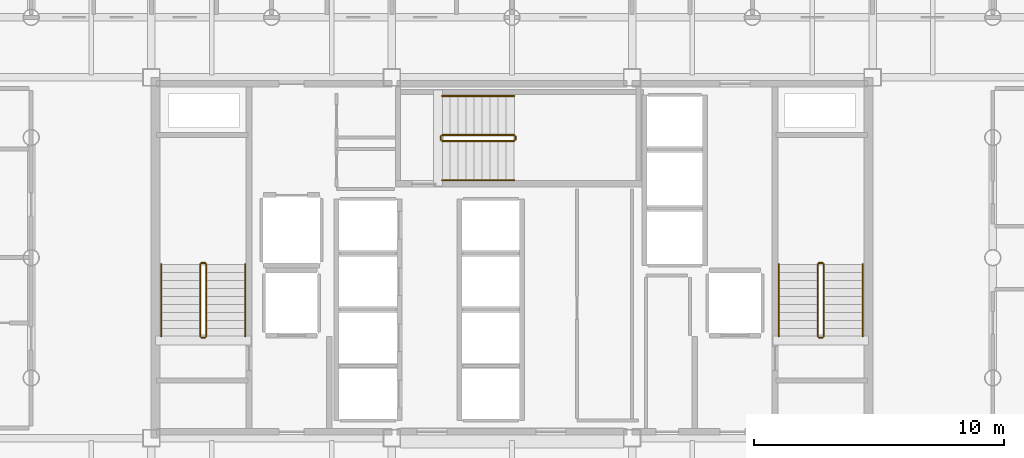
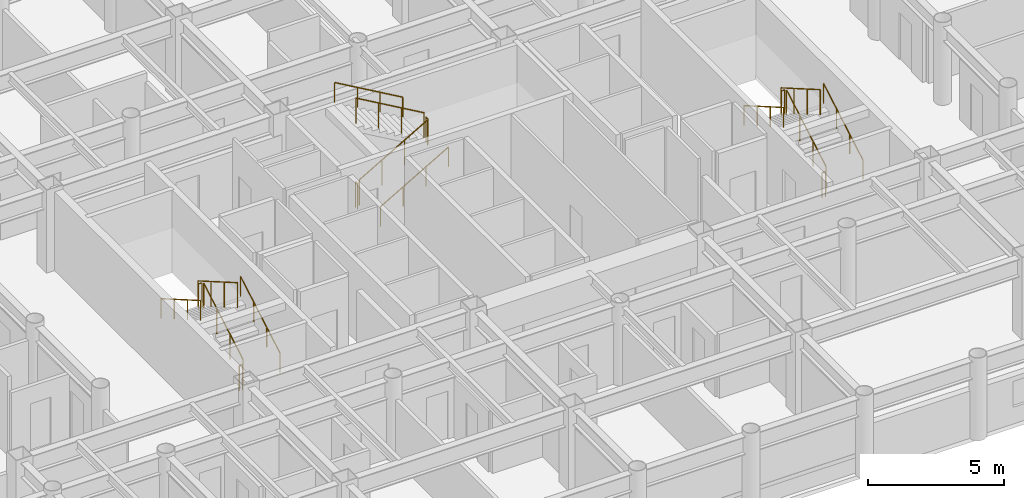
# One storey, part 22 of 22: 18 railings.
"""IFC4 building model written with IfcOpenShell, lengths in metres."""

from ifc_helpers import new_model, si_unit, direction, frame, origin, origin_2d, place, context, subcontext, project, spatial, circle, extrude, material, layer, layer_set, type_object, element, save


model = new_model("IFC4")

# Units and contexts
model_context = context("Model", 3, precision=1e-05, world=origin(), true_north=direction((0.0, 1.0)))
body_context = subcontext(model_context, "Body", "Model", "MODEL_VIEW")
ifc_project = project(units=[si_unit("LENGTHUNIT", "METRE"), si_unit("AREAUNIT", "SQUARE_METRE"), si_unit("VOLUMEUNIT", "CUBIC_METRE"), si_unit("PLANEANGLEUNIT", "RADIAN"), si_unit("MASSUNIT", "GRAM", prefix="KILO")], contexts=[model_context])

# Site, building, storey
site_placement = place(None, origin())
site = spatial("IfcSite", under=ifc_project, at=site_placement, CompositionType="ELEMENT")
building_placement = place(site_placement, origin())
building = spatial("IfcBuilding", under=site, at=building_placement, Name="Kallvorn Hotel Tower", CompositionType="ELEMENT")
storey_placement = place(building_placement, frame((0.0, 0.0, 106.300048828125)))
storey = spatial("IfcBuildingStorey", under=building, at=storey_placement, Name="L25", CompositionType="ELEMENT", Elevation=106.300048828125)

# Railings
ifc_material_1 = material(Name="Brushed stainless-steel tubular railing", Category="steel")
ifc_layer_1 = layer(ifc_material_1, 0.050048828125)
ifc_layer_set_1 = layer_set([ifc_layer_1], Name="RL_STAIR_GUARD")
railing_type_1 = type_object("IfcRailingType", Name="RL_STAIR_GUARD", PredefinedType="GUARDRAIL", material=ifc_layer_set_1)
railing_1_placement = place(storey_placement, frame((-12.2099609375, -3.139892578125, 0.18505859375)))
element("IfcRailing", 1, at=railing_1_placement, inside=storey, type_object=railing_type_1, Name="L25 ST1 stair guard 1", PredefinedType="GUARDRAIL", context=body_context, shape_type="SweptSolid", body=[
    extrude(circle(Radius=0.02392578125, at=origin_2d()), frame((0.0, 0.0, 1.1259765625), z_axis=(0.0, 0.86575271903, 0.500472006703), x_axis=(-1.0, 0.0, 0.0)), (0.0, 0.0, 1.0), 3.326416015625),
    extrude(circle(Radius=0.02099609375, at=origin_2d()), origin(), (0.0, 0.0, 1.0), 1.101806640625),
    extrude(circle(Radius=0.02099609375, at=origin_2d()), frame((0.0, 0.9599609375, 0.554931640625)), (0.0, 0.0, 1.0), 1.101806640625),
    extrude(circle(Radius=0.02099609375, at=origin_2d()), frame((0.0, 1.919921875, 1.10986328125)), (0.0, 0.0, 1.0), 1.101806640625),
    extrude(circle(Radius=0.02099609375, at=origin_2d()), frame((0.0, 2.8798828125, 1.664794921875)), (0.0, 0.0, 1.0), 1.101806640625),
])
railing_2_placement = place(storey_placement, frame((-12.260009765625, -0.2099609375, 1.849853515625)))
element("IfcRailing", 2, at=railing_2_placement, inside=storey, type_object=railing_type_1, Name="L25 ST1 stair guard 2", PredefinedType="GUARDRAIL", context=body_context, shape_type="SweptSolid", body=[
    extrude(circle(Radius=0.02392578125, at=origin_2d()), frame((0.0, 0.0, 1.1259765625), z_axis=(-1.0, 0.0, 0.0), x_axis=(0.0, -1.0, 0.0)), (0.0, 0.0, 1.0), 0.139892578125),
    extrude(circle(Radius=0.02099609375, at=origin_2d()), origin(), (0.0, 0.0, 1.0), 1.101806640625),
    extrude(circle(Radius=0.02099609375, at=origin_2d()), frame((-0.139892578125, 0.0, 0.0)), (0.0, 0.0, 1.0), 1.101806640625),
])
railing_3_placement = place(storey_placement, frame((-12.449951171875, -0.260009765625, 2.034912109375)))
element("IfcRailing", 3, at=railing_3_placement, inside=storey, type_object=railing_type_1, Name="L25 ST1 stair guard 3", PredefinedType="GUARDRAIL", context=body_context, shape_type="SweptSolid", body=[
    extrude(circle(Radius=0.02392578125, at=origin_2d()), frame((0.0, 0.0, 1.1259765625), z_axis=(0.0, -0.865720918037, 0.500527014328), x_axis=(1.0, 0.0, 0.0)), (0.0, 0.0, 1.0), 3.32666015625),
    extrude(circle(Radius=0.02099609375, at=origin_2d()), origin(), (0.0, 0.0, 1.0), 1.101806640625),
    extrude(circle(Radius=0.02099609375, at=origin_2d()), frame((0.0, -0.9599609375, 0.554931640625)), (0.0, 0.0, 1.0), 1.101806640625),
    extrude(circle(Radius=0.02099609375, at=origin_2d()), frame((0.0, -1.919921875, 1.110107421875)), (0.0, 0.0, 1.0), 1.101806640625),
    extrude(circle(Radius=0.02099609375, at=origin_2d()), frame((0.0, -2.8798828125, 1.6650390625)), (0.0, 0.0, 1.0), 1.101806640625),
])
railing_4_placement = place(storey_placement, frame((-12.260009765625, -3.18994140625, 0.0)))
element("IfcRailing", 4, at=railing_4_placement, inside=storey, type_object=railing_type_1, Name="L25 ST1 stair guard 4", PredefinedType="GUARDRAIL", context=body_context, shape_type="SweptSolid", body=[
    extrude(circle(Radius=0.02392578125, at=origin_2d()), frame((0.0, 0.0, 1.1259765625), z_axis=(-1.0, 0.0, 0.0), x_axis=(0.0, -1.0, 0.0)), (0.0, 0.0, 1.0), 0.139892578125),
    extrude(circle(Radius=0.02099609375, at=origin_2d()), origin(), (0.0, 0.0, 1.0), 1.101806640625),
    extrude(circle(Radius=0.02099609375, at=origin_2d()), frame((-0.139892578125, 0.0, 0.0)), (0.0, 0.0, 1.0), 1.101806640625),
])
railing_5_placement = place(storey_placement, frame((12.449951171875, -3.139892578125, 0.18505859375)))
element("IfcRailing", 5, at=railing_5_placement, inside=storey, type_object=railing_type_1, Name="L25 ST2 stair guard 1", PredefinedType="GUARDRAIL", context=body_context, shape_type="SweptSolid", body=[
    extrude(circle(Radius=0.02392578125, at=origin_2d()), frame((0.0, 0.0, 1.1259765625), z_axis=(0.0, 0.86575271903, 0.500472006703), x_axis=(-1.0, 0.0, 0.0)), (0.0, 0.0, 1.0), 3.326416015625),
    extrude(circle(Radius=0.02099609375, at=origin_2d()), origin(), (0.0, 0.0, 1.0), 1.101806640625),
    extrude(circle(Radius=0.02099609375, at=origin_2d()), frame((0.0, 0.9599609375, 0.554931640625)), (0.0, 0.0, 1.0), 1.101806640625),
    extrude(circle(Radius=0.02099609375, at=origin_2d()), frame((0.0, 1.919921875, 1.10986328125)), (0.0, 0.0, 1.0), 1.101806640625),
    extrude(circle(Radius=0.02099609375, at=origin_2d()), frame((0.0, 2.8798828125, 1.664794921875)), (0.0, 0.0, 1.0), 1.101806640625),
])
railing_6_placement = place(storey_placement, frame((12.39990234375, -0.2099609375, 1.849853515625)))
element("IfcRailing", 6, at=railing_6_placement, inside=storey, type_object=railing_type_1, Name="L25 ST2 stair guard 2", PredefinedType="GUARDRAIL", context=body_context, shape_type="SweptSolid", body=[
    extrude(circle(Radius=0.02392578125, at=origin_2d()), frame((0.0, 0.0, 1.1259765625), z_axis=(-1.0, 0.0, 0.0), x_axis=(0.0, -1.0, 0.0)), (0.0, 0.0, 1.0), 0.139892578125),
    extrude(circle(Radius=0.02099609375, at=origin_2d()), origin(), (0.0, 0.0, 1.0), 1.101806640625),
    extrude(circle(Radius=0.02099609375, at=origin_2d()), frame((-0.139892578125, 0.0, 0.0)), (0.0, 0.0, 1.0), 1.101806640625),
])
railing_7_placement = place(storey_placement, frame((12.2099609375, -0.260009765625, 2.034912109375)))
element("IfcRailing", 7, at=railing_7_placement, inside=storey, type_object=railing_type_1, Name="L25 ST2 stair guard 3", PredefinedType="GUARDRAIL", context=body_context, shape_type="SweptSolid", body=[
    extrude(circle(Radius=0.02392578125, at=origin_2d()), frame((0.0, 0.0, 1.1259765625), z_axis=(0.0, -0.865720918037, 0.500527014328), x_axis=(1.0, 0.0, 0.0)), (0.0, 0.0, 1.0), 3.32666015625),
    extrude(circle(Radius=0.02099609375, at=origin_2d()), origin(), (0.0, 0.0, 1.0), 1.101806640625),
    extrude(circle(Radius=0.02099609375, at=origin_2d()), frame((0.0, -0.9599609375, 0.554931640625)), (0.0, 0.0, 1.0), 1.101806640625),
    extrude(circle(Radius=0.02099609375, at=origin_2d()), frame((0.0, -1.919921875, 1.110107421875)), (0.0, 0.0, 1.0), 1.101806640625),
    extrude(circle(Radius=0.02099609375, at=origin_2d()), frame((0.0, -2.8798828125, 1.6650390625)), (0.0, 0.0, 1.0), 1.101806640625),
])
railing_8_placement = place(storey_placement, frame((12.39990234375, -3.18994140625, 0.0)))
element("IfcRailing", 8, at=railing_8_placement, inside=storey, type_object=railing_type_1, Name="L25 ST2 stair guard 4", PredefinedType="GUARDRAIL", context=body_context, shape_type="SweptSolid", body=[
    extrude(circle(Radius=0.02392578125, at=origin_2d()), frame((0.0, 0.0, 1.1259765625), z_axis=(-1.0, 0.0, 0.0), x_axis=(0.0, -1.0, 0.0)), (0.0, 0.0, 1.0), 0.139892578125),
    extrude(circle(Radius=0.02099609375, at=origin_2d()), origin(), (0.0, 0.0, 1.0), 1.101806640625),
    extrude(circle(Radius=0.02099609375, at=origin_2d()), frame((-0.139892578125, 0.0, 0.0)), (0.0, 0.0, 1.0), 1.101806640625),
])
railing_9_placement = place(storey_placement, frame((-2.7900390625, 4.659912109375, 0.18505859375)))
element("IfcRailing", 9, at=railing_9_placement, inside=storey, type_object=railing_type_1, Name="L25 ST3 stair guard 1", PredefinedType="GUARDRAIL", context=body_context, shape_type="SweptSolid", body=[
    extrude(circle(Radius=0.02392578125, at=origin_2d()), frame((0.0, 0.0, 1.1259765625), z_axis=(0.865771100375, 0.0, 0.500440207973), x_axis=(0.0, 1.0, 0.0)), (0.0, 0.0, 1.0), 3.32666015625),
    extrude(circle(Radius=0.02099609375, at=origin_2d()), origin(), (0.0, 0.0, 1.0), 1.101806640625),
    extrude(circle(Radius=0.02099609375, at=origin_2d()), frame((0.9599609375, 0.0, 0.554931640625)), (0.0, 0.0, 1.0), 1.101806640625),
    extrude(circle(Radius=0.02099609375, at=origin_2d()), frame((1.920166015625, 0.0, 1.10986328125)), (0.0, 0.0, 1.0), 1.101806640625),
    extrude(circle(Radius=0.02099609375, at=origin_2d()), frame((2.880126953125, 0.0, 1.664794921875)), (0.0, 0.0, 1.0), 1.101806640625),
])
railing_10_placement = place(storey_placement, frame((0.139892578125, 4.7099609375, 1.849853515625)))
element("IfcRailing", 10, at=railing_10_placement, inside=storey, type_object=railing_type_1, Name="L25 ST3 stair guard 2", PredefinedType="GUARDRAIL", context=body_context, shape_type="SweptSolid", body=[
    extrude(circle(Radius=0.02392578125, at=origin_2d()), frame((0.0, 0.0, 1.1259765625), z_axis=(0.0, 1.0, 0.0), x_axis=(-1.0, 0.0, 0.0)), (0.0, 0.0, 1.0), 0.14013671875),
    extrude(circle(Radius=0.02099609375, at=origin_2d()), origin(), (0.0, 0.0, 1.0), 1.101806640625),
    extrude(circle(Radius=0.02099609375, at=origin_2d()), frame((0.0, 0.14013671875, 0.0)), (0.0, 0.0, 1.0), 1.101806640625),
])
railing_11_placement = place(storey_placement, frame((0.090087890625, 4.89990234375, 2.034912109375)))
element("IfcRailing", 11, at=railing_11_placement, inside=storey, type_object=railing_type_1, Name="L25 ST3 stair guard 3", PredefinedType="GUARDRAIL", context=body_context, shape_type="SweptSolid", body=[
    extrude(circle(Radius=0.02392578125, at=origin_2d()), frame((0.0, 0.0, 1.1259765625), z_axis=(-0.865739302748, 0.0, 0.50049521444), x_axis=(0.0, -1.0, 0.0)), (0.0, 0.0, 1.0), 3.326904296875),
    extrude(circle(Radius=0.02099609375, at=origin_2d()), origin(), (0.0, 0.0, 1.0), 1.101806640625),
    extrude(circle(Radius=0.02099609375, at=origin_2d()), frame((-0.9599609375, 0.0, 0.554931640625)), (0.0, 0.0, 1.0), 1.101806640625),
    extrude(circle(Radius=0.02099609375, at=origin_2d()), frame((-1.920166015625, 0.0, 1.110107421875)), (0.0, 0.0, 1.0), 1.101806640625),
    extrude(circle(Radius=0.02099609375, at=origin_2d()), frame((-2.880126953125, 0.0, 1.6650390625)), (0.0, 0.0, 1.0), 1.101806640625),
])
railing_12_placement = place(storey_placement, frame((-2.840087890625, 4.7099609375, 0.0)))
element("IfcRailing", 12, at=railing_12_placement, inside=storey, type_object=railing_type_1, Name="L25 ST3 stair guard 4", PredefinedType="GUARDRAIL", context=body_context, shape_type="SweptSolid", body=[
    extrude(circle(Radius=0.02392578125, at=origin_2d()), frame((0.0, 0.0, 1.1259765625), z_axis=(0.0, 1.0, 0.0), x_axis=(-1.0, 0.0, 0.0)), (0.0, 0.0, 1.0), 0.14013671875),
    extrude(circle(Radius=0.02099609375, at=origin_2d()), origin(), (0.0, 0.0, 1.0), 1.101806640625),
    extrude(circle(Radius=0.02099609375, at=origin_2d()), frame((0.0, 0.14013671875, 0.0)), (0.0, 0.0, 1.0), 1.101806640625),
])
ifc_material_2 = material(Name="Brushed stainless-steel tubular railing", Category="steel")
ifc_layer_2 = layer(ifc_material_2, 0.050048828125)
ifc_layer_set_2 = layer_set([ifc_layer_2], Name="RL_STAIR_HAND")
railing_type_2 = type_object("IfcRailingType", Name="RL_STAIR_HAND", PredefinedType="HANDRAIL", material=ifc_layer_set_2)
railing_13_placement = place(storey_placement, frame((-10.64990234375, -3.139892578125, 0.18505859375)))
element("IfcRailing", 13, at=railing_13_placement, inside=storey, type_object=railing_type_2, Name="L25 ST1 stair handrail 1", PredefinedType="HANDRAIL", context=body_context, shape_type="SweptSolid", body=[
    extrude(circle(Radius=0.02392578125, at=origin_2d()), frame((0.0, 0.0, 0.8759765625), z_axis=(0.0, 0.86575271903, 0.500472006703), x_axis=(-1.0, 0.0, 0.0)), (0.0, 0.0, 1.0), 3.326416015625),
    extrude(circle(Radius=0.02099609375, at=origin_2d()), origin(), (0.0, 0.0, 1.0), 0.851806640625),
    extrude(circle(Radius=0.02099609375, at=origin_2d()), frame((0.0, 0.9599609375, 0.554931640625)), (0.0, 0.0, 1.0), 0.851806640625),
    extrude(circle(Radius=0.02099609375, at=origin_2d()), frame((0.0, 1.919921875, 1.10986328125)), (0.0, 0.0, 1.0), 0.851806640625),
    extrude(circle(Radius=0.02099609375, at=origin_2d()), frame((0.0, 2.8798828125, 1.664794921875)), (0.0, 0.0, 1.0), 0.851806640625),
])
railing_14_placement = place(storey_placement, frame((-14.010009765625, -0.260009765625, 2.034912109375)))
element("IfcRailing", 14, at=railing_14_placement, inside=storey, type_object=railing_type_2, Name="L25 ST1 stair handrail 2", PredefinedType="HANDRAIL", context=body_context, shape_type="SweptSolid", body=[
    extrude(circle(Radius=0.02392578125, at=origin_2d()), frame((0.0, 0.0, 0.8759765625), z_axis=(0.0, -0.865720918037, 0.500527014328), x_axis=(1.0, 0.0, 0.0)), (0.0, 0.0, 1.0), 3.32666015625),
    extrude(circle(Radius=0.02099609375, at=origin_2d()), origin(), (0.0, 0.0, 1.0), 0.851806640625),
    extrude(circle(Radius=0.02099609375, at=origin_2d()), frame((0.0, -0.9599609375, 0.554931640625)), (0.0, 0.0, 1.0), 0.851806640625),
    extrude(circle(Radius=0.02099609375, at=origin_2d()), frame((0.0, -1.919921875, 1.110107421875)), (0.0, 0.0, 1.0), 0.851806640625),
    extrude(circle(Radius=0.02099609375, at=origin_2d()), frame((0.0, -2.8798828125, 1.6650390625)), (0.0, 0.0, 1.0), 0.851806640625),
])
railing_15_placement = place(storey_placement, frame((14.010009765625, -3.139892578125, 0.18505859375)))
element("IfcRailing", 15, at=railing_15_placement, inside=storey, type_object=railing_type_2, Name="L25 ST2 stair handrail 1", PredefinedType="HANDRAIL", context=body_context, shape_type="SweptSolid", body=[
    extrude(circle(Radius=0.02392578125, at=origin_2d()), frame((0.0, 0.0, 0.8759765625), z_axis=(0.0, 0.86575271903, 0.500472006703), x_axis=(-1.0, 0.0, 0.0)), (0.0, 0.0, 1.0), 3.326416015625),
    extrude(circle(Radius=0.02099609375, at=origin_2d()), origin(), (0.0, 0.0, 1.0), 0.851806640625),
    extrude(circle(Radius=0.02099609375, at=origin_2d()), frame((0.0, 0.9599609375, 0.554931640625)), (0.0, 0.0, 1.0), 0.851806640625),
    extrude(circle(Radius=0.02099609375, at=origin_2d()), frame((0.0, 1.919921875, 1.10986328125)), (0.0, 0.0, 1.0), 0.851806640625),
    extrude(circle(Radius=0.02099609375, at=origin_2d()), frame((0.0, 2.8798828125, 1.664794921875)), (0.0, 0.0, 1.0), 0.851806640625),
])
railing_16_placement = place(storey_placement, frame((10.64990234375, -0.260009765625, 2.034912109375)))
element("IfcRailing", 16, at=railing_16_placement, inside=storey, type_object=railing_type_2, Name="L25 ST2 stair handrail 2", PredefinedType="HANDRAIL", context=body_context, shape_type="SweptSolid", body=[
    extrude(circle(Radius=0.02392578125, at=origin_2d()), frame((0.0, 0.0, 0.8759765625), z_axis=(0.0, -0.865720918037, 0.500527014328), x_axis=(1.0, 0.0, 0.0)), (0.0, 0.0, 1.0), 3.32666015625),
    extrude(circle(Radius=0.02099609375, at=origin_2d()), origin(), (0.0, 0.0, 1.0), 0.851806640625),
    extrude(circle(Radius=0.02099609375, at=origin_2d()), frame((0.0, -0.9599609375, 0.554931640625)), (0.0, 0.0, 1.0), 0.851806640625),
    extrude(circle(Radius=0.02099609375, at=origin_2d()), frame((0.0, -1.919921875, 1.110107421875)), (0.0, 0.0, 1.0), 0.851806640625),
    extrude(circle(Radius=0.02099609375, at=origin_2d()), frame((0.0, -2.8798828125, 1.6650390625)), (0.0, 0.0, 1.0), 0.851806640625),
])
railing_17_placement = place(storey_placement, frame((-2.7900390625, 3.10009765625, 0.18505859375)))
element("IfcRailing", 17, at=railing_17_placement, inside=storey, type_object=railing_type_2, Name="L25 ST3 stair handrail 1", PredefinedType="HANDRAIL", context=body_context, shape_type="SweptSolid", body=[
    extrude(circle(Radius=0.02392578125, at=origin_2d()), frame((0.0, 0.0, 0.8759765625), z_axis=(0.865771100375, 0.0, 0.500440207973), x_axis=(0.0, 1.0, 0.0)), (0.0, 0.0, 1.0), 3.32666015625),
    extrude(circle(Radius=0.02099609375, at=origin_2d()), origin(), (0.0, 0.0, 1.0), 0.851806640625),
    extrude(circle(Radius=0.02099609375, at=origin_2d()), frame((0.9599609375, 0.0, 0.554931640625)), (0.0, 0.0, 1.0), 0.851806640625),
    extrude(circle(Radius=0.02099609375, at=origin_2d()), frame((1.920166015625, 0.0, 1.10986328125)), (0.0, 0.0, 1.0), 0.851806640625),
    extrude(circle(Radius=0.02099609375, at=origin_2d()), frame((2.880126953125, 0.0, 1.664794921875)), (0.0, 0.0, 1.0), 0.851806640625),
])
railing_18_placement = place(storey_placement, frame((0.090087890625, 6.4599609375, 2.034912109375)))
element("IfcRailing", 18, at=railing_18_placement, inside=storey, type_object=railing_type_2, Name="L25 ST3 stair handrail 2", PredefinedType="HANDRAIL", context=body_context, shape_type="SweptSolid", body=[
    extrude(circle(Radius=0.02392578125, at=origin_2d()), frame((0.0, 0.0, 0.8759765625), z_axis=(-0.865739302748, 0.0, 0.50049521444), x_axis=(0.0, -1.0, 0.0)), (0.0, 0.0, 1.0), 3.326904296875),
    extrude(circle(Radius=0.02099609375, at=origin_2d()), origin(), (0.0, 0.0, 1.0), 0.851806640625),
    extrude(circle(Radius=0.02099609375, at=origin_2d()), frame((-0.9599609375, 0.0, 0.554931640625)), (0.0, 0.0, 1.0), 0.851806640625),
    extrude(circle(Radius=0.02099609375, at=origin_2d()), frame((-1.920166015625, 0.0, 1.110107421875)), (0.0, 0.0, 1.0), 0.851806640625),
    extrude(circle(Radius=0.02099609375, at=origin_2d()), frame((-2.880126953125, 0.0, 1.6650390625)), (0.0, 0.0, 1.0), 0.851806640625),
])

save(model, "model.ifc")
